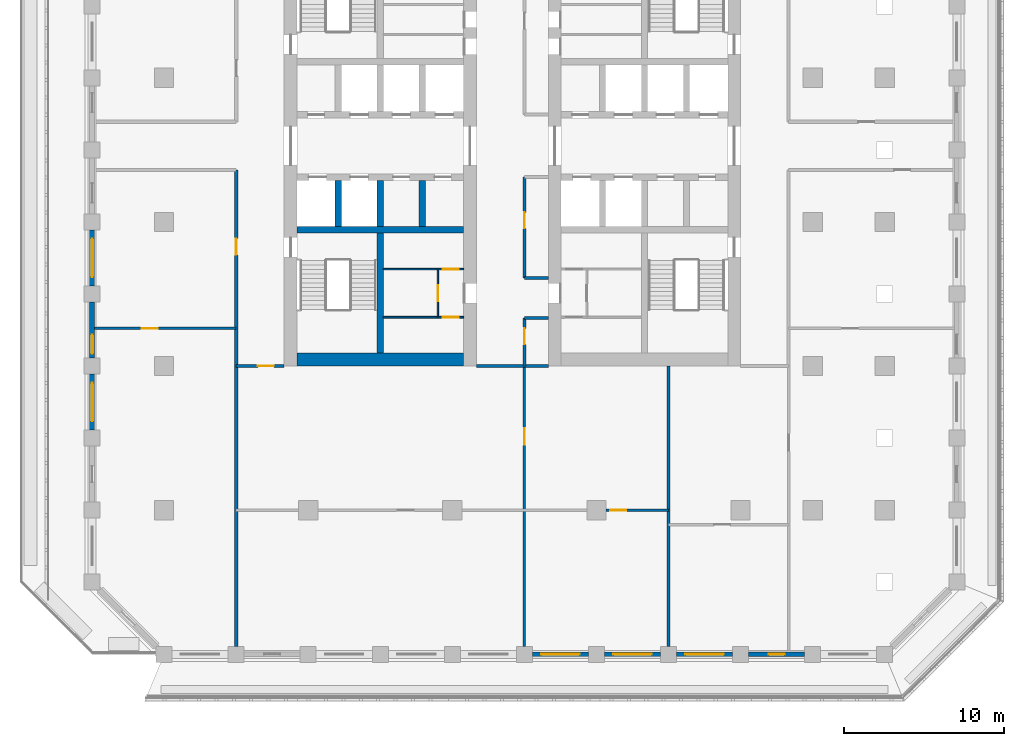
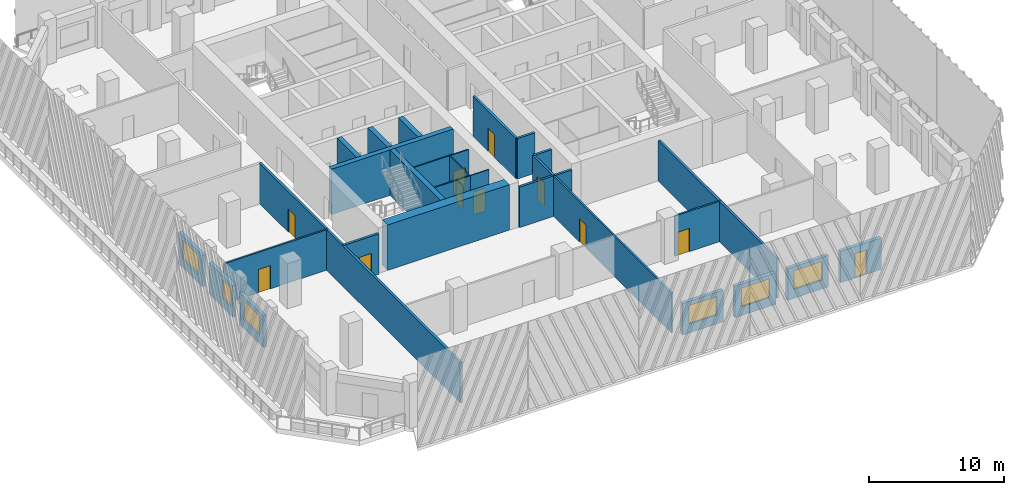
# One storey, part 3 of 16: 29 walls, 11 doors, 6 windows, 17 openings.
"""IFC4 building model written with IfcOpenShell, lengths in metres."""

import ifcopenshell
import ifcopenshell.guid

model = None  # the IFC model being written
_history = None  # IfcOwnerHistory: only IFC2X3 demands one
_inside = {}  # id of a spatial element -> (the spatial element, [elements in it])
_under = {}  # id of a project, library or spatial element -> (it, [spatial elements below it])
_declared = {}  # id of a project -> (the project, [libraries it declares])
_typed = {}  # id of a type object -> (the type object, [elements of that type])
_made_of = {}  # id of a material, layer set ... -> (it, [elements and type objects made of it])


def new_model(schema):
    """Start an empty IFC model of exactly this schema.

    Asked for "IFC4X3", IfcOpenShell would pick the latest addendum, in which some entities
    have other attributes; the version numbers below select the first issue.
    IFC2X3 requires an IfcOwnerHistory on every rooted entity: one is made here for all.
    """
    global model, _history
    if schema == "IFC4X3":
        model = ifcopenshell.file(schema_version=(4, 3, 0, 0))
    else:
        model = ifcopenshell.file(schema=schema)
    _inside.clear()
    _under.clear()
    _declared.clear()
    _typed.clear()
    _made_of.clear()
    _history = None
    if model.schema == "IFC2X3":
        org = make("IfcOrganization", Name="unknown")
        user = make(
            "IfcPersonAndOrganization",
            ThePerson=make("IfcPerson", FamilyName="unknown"),
            TheOrganization=org,
        )
        app = make(
            "IfcApplication",
            ApplicationDeveloper=org,
            Version="unknown",
            ApplicationFullName="unknown",
            ApplicationIdentifier="unknown",
        )
        _history = make(
            "IfcOwnerHistory",
            OwningUser=user,
            OwningApplication=app,
            ChangeAction="ADDED",
            CreationDate=0,
        )
    return model


def make(cls, **values):
    """One entity of the class cls with the attributes given. An attribute that is None is left unset."""
    return model.create_entity(
        cls, **{name: value for name, value in values.items() if value is not None}
    )


def rooted(cls, **values):
    """An entity with a GlobalId (a new one), such as an element, a storey or a relation."""
    return make(cls, GlobalId=ifcopenshell.guid.new(), OwnerHistory=_history, **values)


def si_unit(unit_type, name, prefix=None):
    """IfcSIUnit, for example si_unit("LENGTHUNIT", "METRE", prefix="MILLI")."""
    return make("IfcSIUnit", UnitType=unit_type, Prefix=prefix, Name=name)


def assignment(units):
    """IfcUnitAssignment: the units of a project."""
    return None if units is None else make("IfcUnitAssignment", Units=units)


def point(xyz):
    """IfcCartesianPoint."""
    return None if xyz is None else make("IfcCartesianPoint", Coordinates=xyz)


def direction(xyz):
    """IfcDirection."""
    return None if xyz is None else make("IfcDirection", DirectionRatios=xyz)


def frame(location, z_axis=None, x_axis=None):
    """IfcAxis2Placement3D, a coordinate frame: its origin and axes. An axis left out is left unset."""
    return make(
        "IfcAxis2Placement3D",
        Location=point(location),
        Axis=direction(z_axis),
        RefDirection=direction(x_axis),
    )


def frame_2d(location, x_axis=None):
    """IfcAxis2Placement2D, a coordinate frame in the plane: its origin and x axis."""
    return make(
        "IfcAxis2Placement2D", Location=point(location), RefDirection=direction(x_axis)
    )


def origin():
    """The frame at (0, 0, 0) with its axes left unset."""
    return frame((0.0, 0.0, 0.0))


def place(relative_to, where):
    """IfcLocalPlacement: puts the frame where relative to a parent placement (None: the world)."""
    return make(
        "IfcLocalPlacement", PlacementRelTo=relative_to, RelativePlacement=where
    )


def context(
    kind, dimensions, precision=None, world=None, true_north=None, identifier=None
):
    """IfcGeometricRepresentationContext, for example the 3D "Model" context."""
    return make(
        "IfcGeometricRepresentationContext",
        ContextIdentifier=identifier,
        ContextType=kind,
        CoordinateSpaceDimension=dimensions,
        Precision=precision,
        WorldCoordinateSystem=world,
        TrueNorth=true_north,
    )


def subcontext(parent, identifier, kind, view, scale=None):
    """IfcGeometricRepresentationSubContext, for example "Body" below "Model"."""
    return make(
        "IfcGeometricRepresentationSubContext",
        ContextIdentifier=identifier,
        ContextType=kind,
        ParentContext=parent,
        TargetScale=scale,
        TargetView=view,
    )


def project(units=None, contexts=None):
    """IfcProject with its units and contexts."""
    return rooted(
        "IfcProject",
        Name="project",
        RepresentationContexts=contexts,
        UnitsInContext=assignment(units),
    )


def spatial(cls, under=None, at=None, **own):
    """A site, building, storey or space (cls), placed at a placement, below another one or the project."""
    s = rooted(cls, ObjectPlacement=at, **own)
    if under is not None:
        _under.setdefault(under.id(), (under, []))[1].append(s)
    return s


def profile(cls, at=None, kind="AREA", **sizes):
    """A parametric profile (cls). Its sizes go by their IFC names, for example OverallWidth=200.0."""
    return make(cls, ProfileType=kind, Position=at, **sizes)


def rectangle(**sizes):
    """IfcRectangleProfileDef."""
    return profile("IfcRectangleProfileDef", **sizes)


def extrude(swept, where, along, depth):
    """IfcExtrudedAreaSolid: the profile swept, set in the frame where, extruded along a direction by depth."""
    return make(
        "IfcExtrudedAreaSolid",
        SweptArea=swept,
        Position=where,
        ExtrudedDirection=direction(along),
        Depth=depth,
    )


def shape(context_of_items, identifier, shape_type, items):
    """IfcShapeRepresentation: the items that make up one representation, for example the "Body"."""
    return make(
        "IfcShapeRepresentation",
        ContextOfItems=context_of_items,
        RepresentationIdentifier=identifier,
        RepresentationType=shape_type,
        Items=items,
    )


def material(Name=None, Category=None):
    """IfcMaterial."""
    return make("IfcMaterial", Name=Name, Category=Category)


def layer(
    of_material, thickness, ventilated=None, Name=None, Category=None, Priority=None
):
    """IfcMaterialLayer: one layer of a wall or slab, of a material (None: an air gap)."""
    return make(
        "IfcMaterialLayer",
        Material=of_material,
        LayerThickness=thickness,
        IsVentilated=ventilated,
        Name=Name,
        Category=Category,
        Priority=Priority,
    )


def layer_set(layers, Name=None):
    """IfcMaterialLayerSet."""
    return make("IfcMaterialLayerSet", MaterialLayers=layers, LayerSetName=Name)


def made_of(thing, what):
    """Note that an element or type object is made of a material, layer set ...; save() writes the relation."""
    if what is not None:
        _made_of.setdefault(what.id(), (what, []))[1].append(thing)
    return thing


def type_object(cls, material=None, **own):
    """A type object (cls), such as IfcWallType, which elements share."""
    return made_of(rooted(cls, **own), material)


def element(
    cls,
    number,
    at=None,
    inside=None,
    cuts=None,
    type_object=None,
    material=None,
    context=None,
    identifier="Body",
    shape_type=None,
    held_by="IfcProductDefinitionShape",
    body=None,
    shapes=None,
    **own,
):
    """One element of the class cls, such as IfcWall. Its Tag is "e" and its number.

    at: its placement. inside: the storey or other place that contains it. cuts: it is an
    opening in that element (IfcRelVoidsElement). A single representation is given by context,
    identifier, shape_type and body (its items); several are given by shapes. held_by: the class
    of the entity that holds the representations. save() writes the other relations.
    """
    e = rooted(cls, Tag="e%d" % number, ObjectPlacement=at, **own)
    if body is not None:
        shapes = [shape(context, identifier, shape_type, body)]
    if shapes is not None:
        e.Representation = make(held_by, Representations=shapes)
    if inside is not None:
        _inside.setdefault(inside.id(), (inside, []))[1].append(e)
    if cuts is not None:
        rooted(
            "IfcRelVoidsElement", RelatingBuildingElement=cuts, RelatedOpeningElement=e
        )
    if type_object is not None:
        _typed.setdefault(type_object.id(), (type_object, []))[1].append(e)
    return made_of(e, material)


def fill(opening, filler):
    """IfcRelFillsElement: the door or window that sits in an opening."""
    return rooted(
        "IfcRelFillsElement",
        RelatingOpeningElement=opening,
        RelatedBuildingElement=filler,
    )


def aggregate(whole, parts):
    """IfcRelAggregates: a whole, such as a stair, and the parts it consists of."""
    return rooted("IfcRelAggregates", RelatingObject=whole, RelatedObjects=parts)


def save(model, path):
    """Write the relations noted so far, then the file.

    IfcRelAggregates (storeys below a building ...), IfcRelContainedInSpatialStructure (elements
    in a storey), IfcRelDefinesByType, IfcRelAssociatesMaterial and IfcRelDeclares: one each for
    every whole, place, type object, material and project.
    """
    for whole, parts in _under.values():
        aggregate(whole, parts)
    for where, things in _inside.values():
        rooted(
            "IfcRelContainedInSpatialStructure",
            RelatedElements=things,
            RelatingStructure=where,
        )
    for kind, things in _typed.values():
        rooted("IfcRelDefinesByType", RelatedObjects=things, RelatingType=kind)
    for what, things in _made_of.values():
        rooted("IfcRelAssociatesMaterial", RelatedObjects=things, RelatingMaterial=what)
    for by, libraries in _declared.values():
        rooted("IfcRelDeclares", RelatingContext=by, RelatedDefinitions=libraries)
    model.write(path)


model = new_model("IFC4")

# Units and contexts
model_context = context("Model", 3, precision=1e-05, world=origin(), true_north=direction((0.0, 1.0)))
body_context = subcontext(model_context, "Body", "Model", "MODEL_VIEW")
ifc_project = project(units=[si_unit("LENGTHUNIT", "METRE"), si_unit("AREAUNIT", "SQUARE_METRE"), si_unit("VOLUMEUNIT", "CUBIC_METRE"), si_unit("PLANEANGLEUNIT", "RADIAN"), si_unit("MASSUNIT", "GRAM", prefix="KILO")], contexts=[model_context])

# Site, building, storey
site_placement = place(None, origin())
site = spatial("IfcSite", under=ifc_project, at=site_placement, CompositionType="ELEMENT")
building_placement = place(site_placement, origin())
building = spatial("IfcBuilding", under=site, at=building_placement, Name="Corbel Stack Research Tower", CompositionType="ELEMENT")
storey_placement = place(building_placement, frame((0.0, 0.0, 191.5)))
storey = spatial("IfcBuildingStorey", under=building, at=storey_placement, Name="L43", CompositionType="ELEMENT", Elevation=191.5)

# Walls
ifc_material_1 = material(Name="Concrete C60/75", Category="concrete")
ifc_layer_1 = layer(ifc_material_1, 0.39990234375)
ifc_layer_set_1 = layer_set([ifc_layer_1], Name="Concrete C60/75")
wall_type_1 = type_object("IfcWallType", Name="CW-400-60", PredefinedType="SHEAR", material=ifc_layer_set_1)
wall_1_placement = place(storey_placement, frame((-9.699951171875, -0.5, 0.0), z_axis=(0.0, 0.0, 1.0), x_axis=(1.0, 0.0, 0.0)))
element("IfcWall", 1, at=wall_1_placement, inside=storey, type_object=wall_type_1, Name="West core wall, south row back L43", PredefinedType="SHEAR", context=body_context, shape_type="SweptSolid", body=[
    extrude(rectangle(XDim=10.39990234375, YDim=0.39990234375, at=frame_2d((5.199951171875, 0.0))), origin(), (0.0, 0.0, 1.0), 4.10009765625),
])
for number, where, z_axis, x_axis, name in (
    (2, (-7.125, -0.300048828125, 0.0), (0.0, 0.0, 1.0), (0.0, 1.0, 0.0), "West core wall, south shaft 1 L43"),
    (3, (-4.5, -0.300048828125, 0.0), (0.0, 0.0, 1.0), (0.0, 1.0, 0.0), "West core wall, south shaft 2 L43"),
    (4, (-1.875, -0.300048828125, 0.0), (0.0, 0.0, 1.0), (0.0, 1.0, 0.0), "West core wall, south shaft 3 L43"),
):
    element("IfcWall", number, at=place(storey_placement, frame(where, z_axis=z_axis, x_axis=x_axis)), inside=storey, type_object=wall_type_1, Name=name, PredefinedType="SHEAR", context=body_context, shape_type="SweptSolid", body=[
        extrude(rectangle(XDim=2.900146484375, YDim=0.39990234375, at=frame_2d((1.4501953125, 0.0))), origin(), (0.0, 0.0, 1.0), 4.10009765625),
    ])
wall_2_placement = place(storey_placement, frame((-4.5, -8.199951171875, 0.0), z_axis=(0.0, 0.0, 1.0), x_axis=(0.0, 1.0, 0.0)))
element("IfcWall", 5, at=wall_2_placement, inside=storey, type_object=wall_type_1, Name="West core wall, south stair and WC L43", PredefinedType="SHEAR", context=body_context, shape_type="SweptSolid", body=[
    extrude(rectangle(XDim=7.5, YDim=0.39990234375, at=frame_2d((3.75, 0.0))), origin(), (0.0, 0.0, 1.0), 4.10009765625),
])
ifc_material_2 = material(Name="Concrete C60/75", Category="concrete")
ifc_layer_2 = layer(ifc_material_2, 0.800048828125)
ifc_layer_set_2 = layer_set([ifc_layer_2], Name="Concrete C60/75")
wall_type_2 = type_object("IfcWallType", Name="CW-800-60", PredefinedType="SHEAR", material=ifc_layer_set_2)
wall_3_placement = place(storey_placement, frame((-9.699951171875, -8.60009765625, 0.0), z_axis=(0.0, 0.0, 1.0), x_axis=(1.0, 0.0, 0.0)))
element("IfcWall", 6, at=wall_3_placement, inside=storey, type_object=wall_type_2, Name="West core wall, south end L43", PredefinedType="SHEAR", context=body_context, shape_type="SweptSolid", body=[
    extrude(rectangle(XDim=10.39990234375, YDim=0.800048828125, at=frame_2d((5.199951171875, 0.0))), origin(), (0.0, 0.0, 1.0), 4.10009765625),
])

# Wall, opening, door
ifc_material_3 = material(Name="Gypsum board")
ifc_layer_3 = layer(ifc_material_3, 0.10009765625)
ifc_layer_set_3 = layer_set([ifc_layer_3], Name="Gypsum board")
wall_type_3 = type_object("IfcWallType", Name="Core partition 100", PredefinedType="PARTITIONING", material=ifc_layer_set_3)
wall_4_placement = place(storey_placement, frame((-0.89990234375, -5.949951171875, 0.0), z_axis=(0.0, 0.0, 1.0), x_axis=(1.0, 0.0, 0.0)))
wall_4 = element("IfcWall", 7, at=wall_4_placement, inside=storey, type_object=wall_type_3, Name="Core partition W", PredefinedType="PARTITIONING", context=body_context, shape_type="SweptSolid", body=[
    extrude(rectangle(XDim=1.599853515625, YDim=0.10009765625, at=frame_2d((0.7998046875, 0.0))), origin(), (0.0, 0.0, 1.0), 3.64990234375),
])
opening_1_placement = place(wall_4_placement, frame((0.300048828125, 0.0, 0.0)))
opening_1 = element("IfcOpeningElement", 8, at=opening_1_placement, cuts=wall_4, Name="Opening CR-W36-W2-1000", PredefinedType="OPENING", context=body_context, shape_type="SweptSolid", body=[
    extrude(rectangle(XDim=1.0, YDim=2.10009765625, at=frame_2d((0.5, 1.050048828125))), frame((0.0, 0.06005859375, 0.0), z_axis=(0.0, -1.0, 0.0), x_axis=(1.0, 0.0, 0.0)), (0.0, 0.0, 1.0), 0.1201171875),
])
ifc_material_4 = material(Name="Painted timber door", Category="wood")
door_type_1 = type_object("IfcDoorType", Name="WC door 1000 x 2100 right hand", OperationType="SINGLE_SWING_RIGHT", PredefinedType="DOOR", material=ifc_material_4)
door_1_placement = place(opening_1_placement, origin())
door_1 = element("IfcDoor", 9, at=door_1_placement, inside=storey, type_object=door_type_1, Name="Men's WC door W core", OperationType="SINGLE_SWING_RIGHT", OverallHeight=2.10009765625, OverallWidth=1.0, PredefinedType="DOOR", context=body_context, shape_type="SweptSolid", body=[
    extrude(rectangle(XDim=1.0, YDim=2.10009765625, at=frame_2d((0.5, 1.050048828125))), frame((0.0, 0.02490234375, 0.0), z_axis=(0.0, -1.0, 0.0), x_axis=(1.0, 0.0, 0.0)), (0.0, 0.0, 1.0), 0.050048828125),
])
fill(opening_1, door_1)

wall_5_placement = place(storey_placement, frame((-0.89990234375, -2.949951171875, 0.0), z_axis=(0.0, 0.0, 1.0), x_axis=(1.0, 0.0, 0.0)))
wall_5 = element("IfcWall", 10, at=wall_5_placement, inside=storey, type_object=wall_type_3, Name="Core partition W", PredefinedType="PARTITIONING", context=body_context, shape_type="SweptSolid", body=[
    extrude(rectangle(XDim=1.599853515625, YDim=0.10009765625, at=frame_2d((0.7998046875, 0.0))), origin(), (0.0, 0.0, 1.0), 3.64990234375),
])
opening_2_placement = place(wall_5_placement, frame((0.300048828125, 0.0, 0.0)))
opening_2 = element("IfcOpeningElement", 11, at=opening_2_placement, cuts=wall_5, Name="Opening CR-W36-W3-1000", PredefinedType="OPENING", context=body_context, shape_type="SweptSolid", body=[
    extrude(rectangle(XDim=1.0, YDim=2.10009765625, at=frame_2d((0.5, 1.050048828125))), frame((0.0, 0.06005859375, 0.0), z_axis=(0.0, -1.0, 0.0), x_axis=(1.0, 0.0, 0.0)), (0.0, 0.0, 1.0), 0.1201171875),
])
ifc_material_5 = material(Name="Painted timber door", Category="wood")
door_type_2 = type_object("IfcDoorType", Name="WC door 1000 x 2100 left hand", OperationType="SINGLE_SWING_LEFT", PredefinedType="DOOR", material=ifc_material_5)
door_2_placement = place(opening_2_placement, origin())
door_2 = element("IfcDoor", 12, at=door_2_placement, inside=storey, type_object=door_type_2, Name="Women's WC door W core", OperationType="SINGLE_SWING_LEFT", OverallHeight=2.10009765625, OverallWidth=1.0, PredefinedType="DOOR", context=body_context, shape_type="SweptSolid", body=[
    extrude(rectangle(XDim=1.0, YDim=2.10009765625, at=frame_2d((0.5, 1.050048828125))), frame((0.0, 0.02490234375, 0.0), z_axis=(0.0, -1.0, 0.0), x_axis=(1.0, 0.0, 0.0)), (0.0, 0.0, 1.0), 0.050048828125),
])
fill(opening_2, door_2)

wall_6_placement = place(storey_placement, frame((-0.89990234375, -5.949951171875, 0.0), z_axis=(0.0, 0.0, 1.0), x_axis=(0.0, 1.0, 0.0)))
wall_6 = element("IfcWall", 13, at=wall_6_placement, inside=storey, type_object=wall_type_3, Name="Core partition W", PredefinedType="PARTITIONING", context=body_context, shape_type="SweptSolid", body=[
    extrude(rectangle(XDim=3.0, YDim=0.10009765625, at=frame_2d((1.5, 0.0))), origin(), (0.0, 0.0, 1.0), 3.64990234375),
])
opening_3_placement = place(wall_6_placement, frame((1.0, 0.0, 0.0)))
opening_3 = element("IfcOpeningElement", 14, at=opening_3_placement, cuts=wall_6, Name="Opening CR-W36-W4-1000", PredefinedType="OPENING", context=body_context, shape_type="SweptSolid", body=[
    extrude(rectangle(XDim=1.0, YDim=2.10009765625, at=frame_2d((0.5, 1.050048828125))), frame((0.0, 0.06005859375, 0.0), z_axis=(0.0, -1.0, 0.0), x_axis=(1.0, 0.0, 0.0)), (0.0, 0.0, 1.0), 0.1201171875),
])
door_3_placement = place(opening_3_placement, origin())
door_3 = element("IfcDoor", 15, at=door_3_placement, inside=storey, type_object=door_type_1, Name="Accessible WC door W core", OperationType="SINGLE_SWING_RIGHT", OverallHeight=2.10009765625, OverallWidth=1.0, PredefinedType="DOOR", context=body_context, shape_type="SweptSolid", body=[
    extrude(rectangle(XDim=1.0, YDim=2.10009765625, at=frame_2d((0.5, 1.050048828125))), frame((0.0, 0.02490234375, 0.0), z_axis=(0.0, -1.0, 0.0), x_axis=(1.0, 0.0, 0.0)), (0.0, 0.0, 1.0), 0.050048828125),
])
fill(opening_3, door_3)

# Walls
for number, where, z_axis, x_axis, name in (
    (16, (-4.300048828125, -5.949951171875, 0.0), (0.0, 0.0, 1.0), (1.0, 0.0, 0.0), "Core partition W"),
    (17, (-4.300048828125, -2.949951171875, 0.0), (0.0, 0.0, 1.0), (1.0, 0.0, 0.0), "Core partition W"),
):
    element("IfcWall", number, at=place(storey_placement, frame(where, z_axis=z_axis, x_axis=x_axis)), inside=storey, type_object=wall_type_3, Name=name, PredefinedType="PARTITIONING", context=body_context, shape_type="SweptSolid", body=[
        extrude(rectangle(XDim=3.400146484375, YDim=0.10009765625, at=frame_2d((1.7001953125, 0.0))), origin(), (0.0, 0.0, 1.0), 3.64990234375),
    ])

# Wall, opening, door
ifc_material_6 = material(Name="Fire-rated gypsum board partition on steel studs", Category="steel")
ifc_layer_4 = layer(ifc_material_6, 0.14990234375)
ifc_layer_set_4 = layer_set([ifc_layer_4], Name="Fire-rated gypsum board partition on steel studs")
wall_type_4 = type_object("IfcWallType", Name="Fire-rated partition 150 EI 60", PredefinedType="PARTITIONING", material=ifc_layer_set_4)
wall_7_placement = place(storey_placement, frame((4.5, -9.0, 0.0), z_axis=(0.0, 0.0, 1.0), x_axis=(0.0, -1.0, 0.0)))
wall_7 = element("IfcWall", 18, at=wall_7_placement, inside=storey, type_object=wall_type_4, Name="Partition L43-003", PredefinedType="PARTITIONING", context=body_context, shape_type="SweptSolid", body=[
    extrude(rectangle(XDim=17.5, YDim=0.14990234375, at=frame_2d((8.75, 0.0))), origin(), (0.0, 0.0, 1.0), 3.64990234375),
])
opening_4_placement = place(wall_7_placement, frame((3.89990234375, 0.0, 0.0)))
opening_4 = element("IfcOpeningElement", 19, at=opening_4_placement, cuts=wall_7, Name="Opening B6V0H-010", PredefinedType="OPENING", context=body_context, shape_type="SweptSolid", body=[
    extrude(rectangle(XDim=1.0, YDim=2.10009765625, at=frame_2d((0.5, 1.050048828125))), frame((0.0, 0.0849609375, 0.0), z_axis=(0.0, -1.0, 0.0), x_axis=(1.0, 0.0, 0.0)), (0.0, 0.0, 1.0), 0.169921875),
])
ifc_material_7 = material(Name="Painted steel fire door", Category="steel")
door_type_3 = type_object("IfcDoorType", Name="Fire door FD30S 1000 x 2100", OperationType="NOTDEFINED", PredefinedType="DOOR", material=ifc_material_7)
door_4_placement = place(opening_4_placement, origin())
door_4 = element("IfcDoor", 20, at=door_4_placement, inside=storey, type_object=door_type_3, Name="Door B6V0H-010", OperationType="SINGLE_SWING_LEFT", OverallHeight=2.10009765625, OverallWidth=1.0, PredefinedType="DOOR", context=body_context, shape_type="SweptSolid", body=[
    extrude(rectangle(XDim=1.0, YDim=2.10009765625, at=frame_2d((0.5, 1.050048828125))), frame((0.0, 0.02490234375, 0.0), z_axis=(0.0, -1.0, 0.0), x_axis=(1.0, 0.0, 0.0)), (0.0, 0.0, 1.0), 0.050048828125),
])
fill(opening_4, door_4)

ifc_material_8 = material(Name="Fire-rated gypsum board partition on steel studs", Category="steel")
ifc_layer_5 = layer(ifc_material_8, 0.199951171875)
ifc_layer_set_5 = layer_set([ifc_layer_5], Name="Fire-rated gypsum board partition on steel studs")
wall_type_5 = type_object("IfcWallType", Name="Fire-rated partition 200 EI 60", PredefinedType="PARTITIONING", material=ifc_layer_set_5)
wall_8_placement = place(storey_placement, frame((-13.5, -26.5, 0.0), z_axis=(0.0, 0.0, 1.0), x_axis=(0.0, 1.0, 0.0)))
wall_8 = element("IfcWall", 21, at=wall_8_placement, inside=storey, type_object=wall_type_5, Name="Partition L43-001", PredefinedType="PARTITIONING", context=body_context, shape_type="SweptSolid", body=[
    extrude(rectangle(XDim=29.75, YDim=0.199951171875, at=frame_2d((14.875, 0.0))), origin(), (0.0, 0.0, 1.0), 3.64990234375),
])
opening_5_placement = place(wall_8_placement, frame((24.449951171875, 0.0, 0.0)))
opening_5 = element("IfcOpeningElement", 22, at=opening_5_placement, cuts=wall_8, Name="Opening B6V0H-004", PredefinedType="OPENING", context=body_context, shape_type="SweptSolid", body=[
    extrude(rectangle(XDim=1.0, YDim=2.10009765625, at=frame_2d((0.5, 1.050048828125))), frame((0.0, 0.10986328125, 0.0), z_axis=(0.0, -1.0, 0.0), x_axis=(1.0, 0.0, 0.0)), (0.0, 0.0, 1.0), 0.219970703125),
])
door_5_placement = place(opening_5_placement, origin())
door_5 = element("IfcDoor", 23, at=door_5_placement, inside=storey, type_object=door_type_3, Name="Door B6V0H-004", OperationType="SINGLE_SWING_RIGHT", OverallHeight=2.10009765625, OverallWidth=1.0, PredefinedType="DOOR", context=body_context, shape_type="SweptSolid", body=[
    extrude(rectangle(XDim=1.0, YDim=2.10009765625, at=frame_2d((0.5, 1.050048828125))), frame((0.0, 0.02490234375, 0.0), z_axis=(0.0, -1.0, 0.0), x_axis=(1.0, 0.0, 0.0)), (0.0, 0.0, 1.0), 0.050048828125),
])
fill(opening_5, door_5)

wall_9_placement = place(storey_placement, frame((4.5, -6.0, 0.0), z_axis=(0.0, 0.0, 1.0), x_axis=(0.0, -1.0, 0.0)))
wall_9 = element("IfcWall", 24, at=wall_9_placement, inside=storey, type_object=wall_type_5, Name="Partition L43-005", PredefinedType="PARTITIONING", context=body_context, shape_type="SweptSolid", body=[
    extrude(rectangle(XDim=3.0, YDim=0.199951171875, at=frame_2d((1.5, 0.0))), origin(), (0.0, 0.0, 1.0), 3.64990234375),
])
opening_6_placement = place(wall_9_placement, frame((0.64990234375, 0.0, 0.0)))
opening_6 = element("IfcOpeningElement", 25, at=opening_6_placement, cuts=wall_9, Name="Opening B6V0H-011", PredefinedType="OPENING", context=body_context, shape_type="SweptSolid", body=[
    extrude(rectangle(XDim=1.0, YDim=2.10009765625, at=frame_2d((0.5, 1.050048828125))), frame((0.0, 0.10986328125, 0.0), z_axis=(0.0, -1.0, 0.0), x_axis=(1.0, 0.0, 0.0)), (0.0, 0.0, 1.0), 0.219970703125),
])
door_6_placement = place(opening_6_placement, origin())
door_6 = element("IfcDoor", 26, at=door_6_placement, inside=storey, type_object=door_type_3, Name="Door B6V0H-011", OperationType="SINGLE_SWING_LEFT", OverallHeight=2.10009765625, OverallWidth=1.0, PredefinedType="DOOR", context=body_context, shape_type="SweptSolid", body=[
    extrude(rectangle(XDim=1.0, YDim=2.10009765625, at=frame_2d((0.5, 1.050048828125))), frame((0.0, 0.02490234375, 0.0), z_axis=(0.0, -1.0, 0.0), x_axis=(1.0, 0.0, 0.0)), (0.0, 0.0, 1.0), 0.050048828125),
])
fill(opening_6, door_6)

wall_10_placement = place(storey_placement, frame((4.5, 2.800048828125, 0.0), z_axis=(0.0, 0.0, 1.0), x_axis=(0.0, -1.0, 0.0)))
wall_10 = element("IfcWall", 27, at=wall_10_placement, inside=storey, type_object=wall_type_5, Name="Partition L43-006", PredefinedType="PARTITIONING", context=body_context, shape_type="SweptSolid", body=[
    extrude(rectangle(XDim=6.300048828125, YDim=0.199951171875, at=frame_2d((3.14990234375, 0.0))), origin(), (0.0, 0.0, 1.0), 3.64990234375),
])
opening_7_placement = place(wall_10_placement, frame((2.199951171875, 0.0, 0.0)))
opening_7 = element("IfcOpeningElement", 28, at=opening_7_placement, cuts=wall_10, Name="Opening B6V0H-012", PredefinedType="OPENING", context=body_context, shape_type="SweptSolid", body=[
    extrude(rectangle(XDim=1.0, YDim=2.10009765625, at=frame_2d((0.5, 1.050048828125))), frame((0.0, 0.10986328125, 0.0), z_axis=(0.0, -1.0, 0.0), x_axis=(1.0, 0.0, 0.0)), (0.0, 0.0, 1.0), 0.219970703125),
])
door_7_placement = place(opening_7_placement, origin())
door_7 = element("IfcDoor", 29, at=door_7_placement, inside=storey, type_object=door_type_3, Name="Door B6V0H-012", OperationType="SINGLE_SWING_LEFT", OverallHeight=2.10009765625, OverallWidth=1.0, PredefinedType="DOOR", context=body_context, shape_type="SweptSolid", body=[
    extrude(rectangle(XDim=1.0, YDim=2.10009765625, at=frame_2d((0.5, 1.050048828125))), frame((0.0, 0.02490234375, 0.0), z_axis=(0.0, -1.0, 0.0), x_axis=(1.0, 0.0, 0.0)), (0.0, 0.0, 1.0), 0.050048828125),
])
fill(opening_7, door_7)

# Wall
wall_11_placement = place(storey_placement, frame((13.5, -26.5, 0.0), z_axis=(0.0, 0.0, 1.0), x_axis=(0.0, 1.0, 0.0)))
element("IfcWall", 30, at=wall_11_placement, inside=storey, type_object=wall_type_5, Name="Partition L43-008", PredefinedType="PARTITIONING", context=body_context, shape_type="SweptSolid", body=[
    extrude(rectangle(XDim=17.5, YDim=0.199951171875, at=frame_2d((8.75, 0.0))), origin(), (0.0, 0.0, 1.0), 3.64990234375),
])

# Wall, opening, door
wall_12_placement = place(storey_placement, frame((-10.5, -9.0, 0.0), z_axis=(0.0, 0.0, 1.0), x_axis=(-1.0, 0.0, 0.0)))
wall_12 = element("IfcWall", 31, at=wall_12_placement, inside=storey, type_object=wall_type_5, Name="Partition L43-019", PredefinedType="PARTITIONING", context=body_context, shape_type="SweptSolid", body=[
    extrude(rectangle(XDim=3.0, YDim=0.199951171875, at=frame_2d((1.5, 0.0))), origin(), (0.0, 0.0, 1.0), 3.64990234375),
])
opening_8_placement = place(wall_12_placement, frame((0.64990234375, 0.0, 0.0)))
opening_8 = element("IfcOpeningElement", 32, at=opening_8_placement, cuts=wall_12, Name="Opening B6V0H-006", PredefinedType="OPENING", context=body_context, shape_type="SweptSolid", body=[
    extrude(rectangle(XDim=1.0, YDim=2.10009765625, at=frame_2d((0.5, 1.050048828125))), frame((0.0, 0.10986328125, 0.0), z_axis=(0.0, -1.0, 0.0), x_axis=(1.0, 0.0, 0.0)), (0.0, 0.0, 1.0), 0.219970703125),
])
door_8_placement = place(opening_8_placement, origin())
door_8 = element("IfcDoor", 33, at=door_8_placement, inside=storey, type_object=door_type_3, Name="Door B6V0H-006", OperationType="SINGLE_SWING_LEFT", OverallHeight=2.10009765625, OverallWidth=1.0, PredefinedType="DOOR", context=body_context, shape_type="SweptSolid", body=[
    extrude(rectangle(XDim=1.0, YDim=2.10009765625, at=frame_2d((0.5, 1.050048828125))), frame((0.0, 0.02490234375, 0.0), z_axis=(0.0, -1.0, 0.0), x_axis=(1.0, 0.0, 0.0)), (0.0, 0.0, 1.0), 0.050048828125),
])
fill(opening_8, door_8)

# Walls
wall_13_placement = place(storey_placement, frame((1.5, -9.0, 0.0), z_axis=(0.0, 0.0, 1.0), x_axis=(1.0, 0.0, 0.0)))
element("IfcWall", 34, at=wall_13_placement, inside=storey, type_object=wall_type_5, Name="Partition L43-020", PredefinedType="PARTITIONING", context=body_context, shape_type="SweptSolid", body=[
    extrude(rectangle(XDim=4.5, YDim=0.199951171875, at=frame_2d((2.25, 0.0))), origin(), (0.0, 0.0, 1.0), 3.64990234375),
])
for number, where, z_axis, x_axis, name in (
    (35, (4.5, -6.0, 0.0), (0.0, 0.0, 1.0), (1.0, 0.0, 0.0), "Partition L43-024"),
    (36, (4.5, -3.5, 0.0), (0.0, 0.0, 1.0), (1.0, 0.0, 0.0), "Partition L43-025"),
):
    element("IfcWall", number, at=place(storey_placement, frame(where, z_axis=z_axis, x_axis=x_axis)), inside=storey, type_object=wall_type_5, Name=name, PredefinedType="PARTITIONING", context=body_context, shape_type="SweptSolid", body=[
        extrude(rectangle(XDim=1.5, YDim=0.199951171875, at=frame_2d((0.75, 0.0))), origin(), (0.0, 0.0, 1.0), 3.64990234375),
    ])

# Wall, opening, door
ifc_material_9 = material(Name="Gypsum board partition on steel studs", Category="steel")
ifc_layer_6 = layer(ifc_material_9, 0.14990234375)
ifc_layer_set_6 = layer_set([ifc_layer_6], Name="Gypsum board partition on steel studs")
wall_type_6 = type_object("IfcWallType", Name="Partition 150", PredefinedType="PARTITIONING", material=ifc_layer_set_6)
wall_14_placement = place(storey_placement, frame((13.5, -18.0, 0.0), z_axis=(0.0, 0.0, 1.0), x_axis=(-1.0, 0.0, 0.0)))
wall_14 = element("IfcWall", 37, at=wall_14_placement, inside=storey, type_object=wall_type_6, Name="Partition L43-018", PredefinedType="PARTITIONING", context=body_context, shape_type="SweptSolid", body=[
    extrude(rectangle(XDim=3.89990234375, YDim=0.14990234375, at=frame_2d((1.949951171875, 0.0))), origin(), (0.0, 0.0, 1.0), 3.64990234375),
])
opening_9_placement = place(wall_14_placement, frame((2.64990234375, 0.0, 0.0)))
opening_9 = element("IfcOpeningElement", 38, at=opening_9_placement, cuts=wall_14, Name="Opening B6V0H-003", PredefinedType="OPENING", context=body_context, shape_type="SweptSolid", body=[
    extrude(rectangle(XDim=1.0, YDim=2.10009765625, at=frame_2d((0.5, 1.050048828125))), frame((0.0, 0.0849609375, 0.0), z_axis=(0.0, -1.0, 0.0), x_axis=(1.0, 0.0, 0.0)), (0.0, 0.0, 1.0), 0.169921875),
])
ifc_material_10 = material(Name="Painted timber door", Category="wood")
door_type_4 = type_object("IfcDoorType", Name="Single door 1000 x 2100", OperationType="NOTDEFINED", PredefinedType="DOOR", material=ifc_material_10)
door_9_placement = place(opening_9_placement, origin())
door_9 = element("IfcDoor", 39, at=door_9_placement, inside=storey, type_object=door_type_4, Name="Door B6V0H-003", OperationType="SINGLE_SWING_RIGHT", OverallHeight=2.10009765625, OverallWidth=1.0, PredefinedType="DOOR", context=body_context, shape_type="SweptSolid", body=[
    extrude(rectangle(XDim=1.0, YDim=2.10009765625, at=frame_2d((0.5, 1.050048828125))), frame((0.0, 0.02490234375, 0.0), z_axis=(0.0, -1.0, 0.0), x_axis=(1.0, 0.0, 0.0)), (0.0, 0.0, 1.0), 0.050048828125),
])
fill(opening_9, door_9)

wall_15_placement = place(storey_placement, frame((-13.5, -6.64990234375, 0.0), z_axis=(0.0, 0.0, 1.0), x_axis=(-1.0, 0.0, 0.0)))
wall_15 = element("IfcWall", 40, at=wall_15_placement, inside=storey, type_object=wall_type_6, Name="Partition L43-022", PredefinedType="PARTITIONING", context=body_context, shape_type="SweptSolid", body=[
    extrude(rectangle(XDim=8.85009765625, YDim=0.14990234375, at=frame_2d((4.425048828125, 0.0))), origin(), (0.0, 0.0, 1.0), 3.64990234375),
])
opening_10_placement = place(wall_15_placement, frame((4.89990234375, 0.0, 0.0)))
opening_10 = element("IfcOpeningElement", 41, at=opening_10_placement, cuts=wall_15, Name="Opening B6V0H-007", PredefinedType="OPENING", context=body_context, shape_type="SweptSolid", body=[
    extrude(rectangle(XDim=1.0, YDim=2.10009765625, at=frame_2d((0.5, 1.050048828125))), frame((0.0, 0.0849609375, 0.0), z_axis=(0.0, -1.0, 0.0), x_axis=(1.0, 0.0, 0.0)), (0.0, 0.0, 1.0), 0.169921875),
])
door_10_placement = place(opening_10_placement, origin())
door_10 = element("IfcDoor", 42, at=door_10_placement, inside=storey, type_object=door_type_4, Name="Door B6V0H-007", OperationType="SINGLE_SWING_RIGHT", OverallHeight=2.10009765625, OverallWidth=1.0, PredefinedType="DOOR", context=body_context, shape_type="SweptSolid", body=[
    extrude(rectangle(XDim=1.0, YDim=2.10009765625, at=frame_2d((0.5, 1.050048828125))), frame((0.0, 0.02490234375, 0.0), z_axis=(0.0, -1.0, 0.0), x_axis=(1.0, 0.0, 0.0)), (0.0, 0.0, 1.0), 0.050048828125),
])
fill(opening_10, door_10)

# Wall, opening, window
ifc_material_11 = material(Name="Concrete C45/55", Category="concrete")
ifc_layer_7 = layer(ifc_material_11, 0.300048828125)
ifc_layer_set_7 = layer_set([ifc_layer_7], Name="Concrete C45/55")
wall_type_7 = type_object("IfcWallType", Name="Terracotta-faced concrete wall 300", PredefinedType="SOLIDWALL", material=ifc_layer_set_7)
wall_16_placement = place(storey_placement, frame((8.5, -27.0, 0.0), z_axis=(0.0, 0.0, 1.0), x_axis=(-1.0, 0.0, 0.0)))
wall_16 = element("IfcWall", 43, at=wall_16_placement, inside=storey, type_object=wall_type_7, Name="Facade wall L43 S06", PredefinedType="SOLIDWALL", context=body_context, shape_type="SweptSolid", body=[
    extrude(rectangle(XDim=3.5, YDim=0.300048828125, at=frame_2d((1.75, 0.0))), origin(), (0.0, 0.0, 1.0), 2.85009765625),
])
opening_11_placement = place(wall_16_placement, frame((0.550048828125, 0.0, 0.800048828125)))
opening_11 = element("IfcOpeningElement", 44, at=opening_11_placement, cuts=wall_16, Name="Opening W1", PredefinedType="OPENING", context=body_context, shape_type="SweptSolid", body=[
    extrude(rectangle(XDim=2.39990234375, YDim=1.699951171875, at=frame_2d((1.199951171875, 0.85009765625))), frame((0.0, 0.159912109375, 0.0), z_axis=(0.0, -1.0, 0.0), x_axis=(1.0, 0.0, 0.0)), (0.0, 0.0, 1.0), 0.320068359375),
])
ifc_material_12 = material(Name="Aluminium frame, clear double glazing", Category="aluminium")
window_type_1 = type_object("IfcWindowType", Name="Window W1 2400 x 1700", PartitioningType="SINGLE_PANEL", PredefinedType="WINDOW", material=ifc_material_12)
window_1_placement = place(opening_11_placement, origin())
window_1 = element("IfcWindow", 45, at=window_1_placement, inside=storey, type_object=window_type_1, Name="Window W1 L43 S06", OverallHeight=1.699951171875, OverallWidth=2.39990234375, PartitioningType="SINGLE_PANEL", PredefinedType="WINDOW", context=body_context, shape_type="SweptSolid", body=[
    extrude(rectangle(XDim=2.39990234375, YDim=1.699951171875, at=frame_2d((1.199951171875, 0.85009765625))), frame((0.0, 0.030029296875, 0.0), z_axis=(0.0, -1.0, 0.0), x_axis=(1.0, 0.0, 0.0)), (0.0, 0.0, 1.0), 0.06005859375),
])
fill(opening_11, window_1)

wall_17_placement = place(storey_placement, frame((13.0, -27.0, 0.0), z_axis=(0.0, 0.0, 1.0), x_axis=(-1.0, 0.0, 0.0)))
wall_17 = element("IfcWall", 46, at=wall_17_placement, inside=storey, type_object=wall_type_7, Name="Facade wall L43 S07", PredefinedType="SOLIDWALL", context=body_context, shape_type="SweptSolid", body=[
    extrude(rectangle(XDim=3.5, YDim=0.300048828125, at=frame_2d((1.75, 0.0))), origin(), (0.0, 0.0, 1.0), 2.85009765625),
])
opening_12_placement = place(wall_17_placement, frame((0.550048828125, 0.0, 0.800048828125)))
opening_12 = element("IfcOpeningElement", 47, at=opening_12_placement, cuts=wall_17, Name="Opening W1", PredefinedType="OPENING", context=body_context, shape_type="SweptSolid", body=[
    extrude(rectangle(XDim=2.39990234375, YDim=1.699951171875, at=frame_2d((1.199951171875, 0.85009765625))), frame((0.0, 0.159912109375, 0.0), z_axis=(0.0, -1.0, 0.0), x_axis=(1.0, 0.0, 0.0)), (0.0, 0.0, 1.0), 0.320068359375),
])
window_2_placement = place(opening_12_placement, origin())
window_2 = element("IfcWindow", 48, at=window_2_placement, inside=storey, type_object=window_type_1, Name="Window W1 L43 S07", OverallHeight=1.699951171875, OverallWidth=2.39990234375, PartitioningType="SINGLE_PANEL", PredefinedType="WINDOW", context=body_context, shape_type="SweptSolid", body=[
    extrude(rectangle(XDim=2.39990234375, YDim=1.699951171875, at=frame_2d((1.199951171875, 0.85009765625))), frame((0.0, 0.030029296875, 0.0), z_axis=(0.0, -1.0, 0.0), x_axis=(1.0, 0.0, 0.0)), (0.0, 0.0, 1.0), 0.06005859375),
])
fill(opening_12, window_2)

wall_18_placement = place(storey_placement, frame((17.5, -27.0, 0.0), z_axis=(0.0, 0.0, 1.0), x_axis=(-1.0, 0.0, 0.0)))
wall_18 = element("IfcWall", 49, at=wall_18_placement, inside=storey, type_object=wall_type_7, Name="Facade wall L43 S08", PredefinedType="SOLIDWALL", context=body_context, shape_type="SweptSolid", body=[
    extrude(rectangle(XDim=3.5, YDim=0.300048828125, at=frame_2d((1.75, 0.0))), origin(), (0.0, 0.0, 1.0), 2.85009765625),
])
opening_13_placement = place(wall_18_placement, frame((0.550048828125, 0.0, 0.800048828125)))
opening_13 = element("IfcOpeningElement", 50, at=opening_13_placement, cuts=wall_18, Name="Opening W1", PredefinedType="OPENING", context=body_context, shape_type="SweptSolid", body=[
    extrude(rectangle(XDim=2.39990234375, YDim=1.699951171875, at=frame_2d((1.199951171875, 0.85009765625))), frame((0.0, 0.159912109375, 0.0), z_axis=(0.0, -1.0, 0.0), x_axis=(1.0, 0.0, 0.0)), (0.0, 0.0, 1.0), 0.320068359375),
])
window_3_placement = place(opening_13_placement, origin())
window_3 = element("IfcWindow", 51, at=window_3_placement, inside=storey, type_object=window_type_1, Name="Window W1 L43 S08", OverallHeight=1.699951171875, OverallWidth=2.39990234375, PartitioningType="SINGLE_PANEL", PredefinedType="WINDOW", context=body_context, shape_type="SweptSolid", body=[
    extrude(rectangle(XDim=2.39990234375, YDim=1.699951171875, at=frame_2d((1.199951171875, 0.85009765625))), frame((0.0, 0.030029296875, 0.0), z_axis=(0.0, -1.0, 0.0), x_axis=(1.0, 0.0, 0.0)), (0.0, 0.0, 1.0), 0.06005859375),
])
fill(opening_13, window_3)

# Wall, opening, door
wall_19_placement = place(storey_placement, frame((22.0, -27.0, 0.0), z_axis=(0.0, 0.0, 1.0), x_axis=(-1.0, 0.0, 0.0)))
wall_19 = element("IfcWall", 52, at=wall_19_placement, inside=storey, type_object=wall_type_7, Name="Facade wall L43 S09", PredefinedType="SOLIDWALL", context=body_context, shape_type="SweptSolid", body=[
    extrude(rectangle(XDim=3.5, YDim=0.300048828125, at=frame_2d((1.75, 0.0))), origin(), (0.0, 0.0, 1.0), 2.85009765625),
])
opening_14_placement = place(wall_19_placement, frame((1.25, 0.0, 0.0)))
opening_14 = element("IfcOpeningElement", 53, at=opening_14_placement, cuts=wall_19, Name="Opening L43-B02", PredefinedType="OPENING", context=body_context, shape_type="SweptSolid", body=[
    extrude(rectangle(XDim=1.0, YDim=2.199951171875, at=frame_2d((0.5, 1.10009765625))), frame((0.0, 0.159912109375, 0.0), z_axis=(0.0, -1.0, 0.0), x_axis=(1.0, 0.0, 0.0)), (0.0, 0.0, 1.0), 0.320068359375),
])
ifc_material_13 = material(Name="Aluminium frame, clear double glazing", Category="aluminium")
door_type_5 = type_object("IfcDoorType", Name="Balcony door BD1 1000 x 2200", OperationType="NOTDEFINED", PredefinedType="DOOR", material=ifc_material_13)
door_11_placement = place(opening_14_placement, origin())
door_11 = element("IfcDoor", 54, at=door_11_placement, inside=storey, type_object=door_type_5, Name="Balcony door L43-B02", OperationType="SINGLE_SWING_RIGHT", OverallHeight=2.199951171875, OverallWidth=1.0, PredefinedType="DOOR", context=body_context, shape_type="SweptSolid", body=[
    extrude(rectangle(XDim=1.0, YDim=2.199951171875, at=frame_2d((0.5, 1.10009765625))), frame((0.0, 0.02490234375, 0.0), z_axis=(0.0, -1.0, 0.0), x_axis=(1.0, 0.0, 0.0)), (0.0, 0.0, 1.0), 0.050048828125),
])
fill(opening_14, door_11)

# Wall, opening, window
wall_20_placement = place(storey_placement, frame((-22.5, -4.0, 0.0), z_axis=(0.0, 0.0, 1.0), x_axis=(0.0, 1.0, 0.0)))
wall_20 = element("IfcWall", 55, at=wall_20_placement, inside=storey, type_object=wall_type_7, Name="Facade wall L43 W06", PredefinedType="SOLIDWALL", context=body_context, shape_type="SweptSolid", body=[
    extrude(rectangle(XDim=3.5, YDim=0.300048828125, at=frame_2d((1.75, 0.0))), origin(), (0.0, 0.0, 1.0), 2.85009765625),
])
opening_15_placement = place(wall_20_placement, frame((0.550048828125, 0.0, 0.800048828125)))
opening_15 = element("IfcOpeningElement", 56, at=opening_15_placement, cuts=wall_20, Name="Opening W1", PredefinedType="OPENING", context=body_context, shape_type="SweptSolid", body=[
    extrude(rectangle(XDim=2.39990234375, YDim=1.699951171875, at=frame_2d((1.199951171875, 0.85009765625))), frame((0.0, 0.159912109375, 0.0), z_axis=(0.0, -1.0, 0.0), x_axis=(1.0, 0.0, 0.0)), (0.0, 0.0, 1.0), 0.320068359375),
])
window_4_placement = place(opening_15_placement, origin())
window_4 = element("IfcWindow", 57, at=window_4_placement, inside=storey, type_object=window_type_1, Name="Window W1 L43 W06", OverallHeight=1.699951171875, OverallWidth=2.39990234375, PartitioningType="SINGLE_PANEL", PredefinedType="WINDOW", context=body_context, shape_type="SweptSolid", body=[
    extrude(rectangle(XDim=2.39990234375, YDim=1.699951171875, at=frame_2d((1.199951171875, 0.85009765625))), frame((0.0, 0.030029296875, 0.0), z_axis=(0.0, -1.0, 0.0), x_axis=(1.0, 0.0, 0.0)), (0.0, 0.0, 1.0), 0.06005859375),
])
fill(opening_15, window_4)

wall_21_placement = place(storey_placement, frame((-22.5, -8.5, 0.0), z_axis=(0.0, 0.0, 1.0), x_axis=(0.0, 1.0, 0.0)))
wall_21 = element("IfcWall", 58, at=wall_21_placement, inside=storey, type_object=wall_type_7, Name="Facade wall L43 W07", PredefinedType="SOLIDWALL", context=body_context, shape_type="SweptSolid", body=[
    extrude(rectangle(XDim=3.5, YDim=0.300048828125, at=frame_2d((1.75, 0.0))), origin(), (0.0, 0.0, 1.0), 2.85009765625),
])
opening_16_placement = place(wall_21_placement, frame((0.262451171875, 0.0, 0.800048828125)))
opening_16 = element("IfcOpeningElement", 59, at=opening_16_placement, cuts=wall_21, Name="Opening W2", PredefinedType="OPENING", context=body_context, shape_type="SweptSolid", body=[
    extrude(rectangle(XDim=1.199951171875, YDim=1.699951171875, at=frame_2d((0.60009765625, 0.85009765625))), frame((0.0, 0.159912109375, 0.0), z_axis=(0.0, -1.0, 0.0), x_axis=(1.0, 0.0, 0.0)), (0.0, 0.0, 1.0), 0.320068359375),
])
ifc_material_14 = material(Name="Aluminium frame, clear double glazing", Category="aluminium")
window_type_2 = type_object("IfcWindowType", Name="Window W2 1200 x 1700", PartitioningType="SINGLE_PANEL", PredefinedType="WINDOW", material=ifc_material_14)
window_5_placement = place(opening_16_placement, origin())
window_5 = element("IfcWindow", 60, at=window_5_placement, inside=storey, type_object=window_type_2, Name="Window W2 L43 W07", OverallHeight=1.699951171875, OverallWidth=1.199951171875, PartitioningType="SINGLE_PANEL", PredefinedType="WINDOW", context=body_context, shape_type="SweptSolid", body=[
    extrude(rectangle(XDim=1.199951171875, YDim=1.699951171875, at=frame_2d((0.60009765625, 0.85009765625))), frame((0.0, 0.030029296875, 0.0), z_axis=(0.0, -1.0, 0.0), x_axis=(1.0, 0.0, 0.0)), (0.0, 0.0, 1.0), 0.06005859375),
])
fill(opening_16, window_5)

wall_22_placement = place(storey_placement, frame((-22.5, -13.0, 0.0), z_axis=(0.0, 0.0, 1.0), x_axis=(0.0, 1.0, 0.0)))
wall_22 = element("IfcWall", 61, at=wall_22_placement, inside=storey, type_object=wall_type_7, Name="Facade wall L43 W08", PredefinedType="SOLIDWALL", context=body_context, shape_type="SweptSolid", body=[
    extrude(rectangle(XDim=3.5, YDim=0.300048828125, at=frame_2d((1.75, 0.0))), origin(), (0.0, 0.0, 1.0), 2.85009765625),
])
opening_17_placement = place(wall_22_placement, frame((0.550048828125, 0.0, 0.800048828125)))
opening_17 = element("IfcOpeningElement", 62, at=opening_17_placement, cuts=wall_22, Name="Opening W1", PredefinedType="OPENING", context=body_context, shape_type="SweptSolid", body=[
    extrude(rectangle(XDim=2.39990234375, YDim=1.699951171875, at=frame_2d((1.199951171875, 0.85009765625))), frame((0.0, 0.159912109375, 0.0), z_axis=(0.0, -1.0, 0.0), x_axis=(1.0, 0.0, 0.0)), (0.0, 0.0, 1.0), 0.320068359375),
])
window_6_placement = place(opening_17_placement, origin())
window_6 = element("IfcWindow", 63, at=window_6_placement, inside=storey, type_object=window_type_1, Name="Window W1 L43 W08", OverallHeight=1.699951171875, OverallWidth=2.39990234375, PartitioningType="SINGLE_PANEL", PredefinedType="WINDOW", context=body_context, shape_type="SweptSolid", body=[
    extrude(rectangle(XDim=2.39990234375, YDim=1.699951171875, at=frame_2d((1.199951171875, 0.85009765625))), frame((0.0, 0.030029296875, 0.0), z_axis=(0.0, -1.0, 0.0), x_axis=(1.0, 0.0, 0.0)), (0.0, 0.0, 1.0), 0.06005859375),
])
fill(opening_17, window_6)

save(model, "model.ifc")
